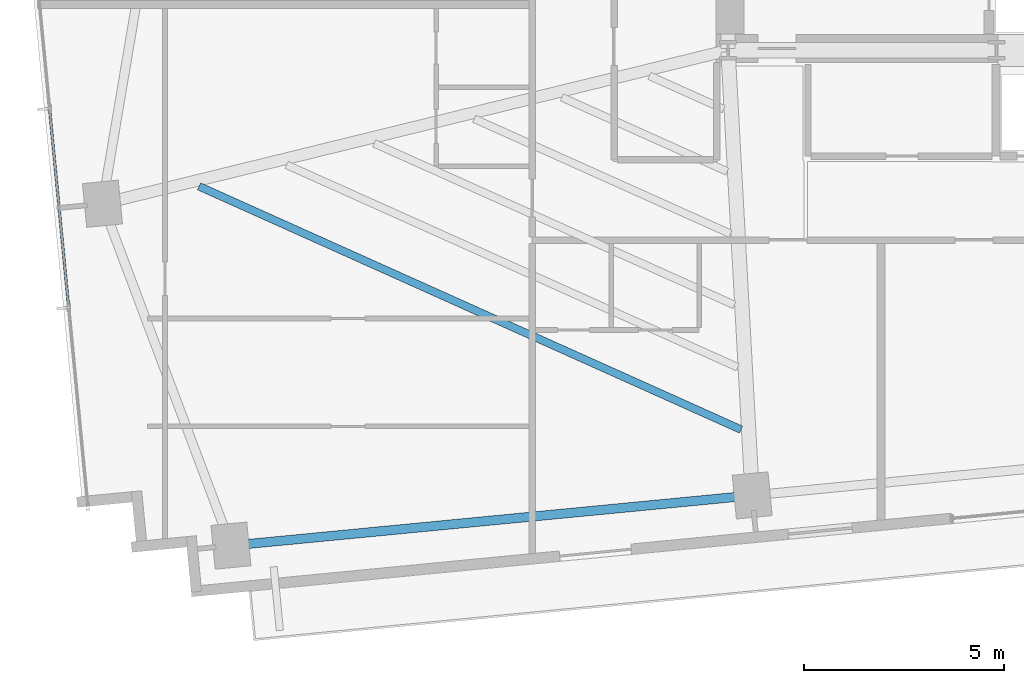
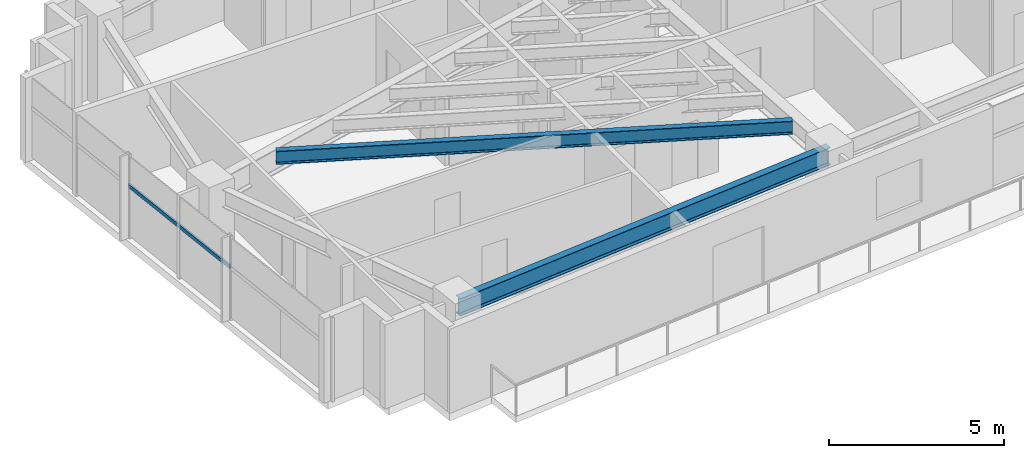
# One storey, part 3 of 27: 2 beams, 1 member, 1 element without a shape of its own.
"""IFC4 building model written with IfcOpenShell, lengths in metres."""

from ifc_helpers import new_model, si_unit, direction, frame, origin, origin_2d, place, context, subcontext, project, spatial, hollow_rectangle, i_section, extrude, source, transform, mapped, material, material_profile, profile_set, type_object, type_shapes, element, aggregate, save


model = new_model("IFC4")

# Units and contexts
model_context = context("Model", 3, precision=1e-05, world=origin(), true_north=direction((0.0, 1.0)))
body_context = subcontext(model_context, "Body", "Model", "MODEL_VIEW")
ifc_project = project(units=[si_unit("LENGTHUNIT", "METRE"), si_unit("AREAUNIT", "SQUARE_METRE"), si_unit("VOLUMEUNIT", "CUBIC_METRE"), si_unit("PLANEANGLEUNIT", "RADIAN"), si_unit("MASSUNIT", "GRAM", prefix="KILO")], contexts=[model_context])

# Site, building, storey
site_placement = place(None, origin())
site = spatial("IfcSite", under=ifc_project, at=site_placement, CompositionType="ELEMENT")
building_placement = place(site_placement, origin())
building = spatial("IfcBuilding", under=site, at=building_placement, Name="Astriad Promenade Condominiums", CompositionType="ELEMENT")
storey_placement = place(building_placement, frame((0.0, 0.0, 109.800048828125)))
storey = spatial("IfcBuildingStorey", under=building, at=storey_placement, Name="L31", CompositionType="ELEMENT", Elevation=109.800048828125)

# Beams
ifc_material_1 = material(Name="Steel ASTM A992 Grade 50", Category="steel")
ifc_material_profile_1 = material_profile(ifc_material_1, i_section(OverallWidth=0.22900390625, OverallDepth=0.612060546875, WebThickness=0.011962890625, FlangeThickness=0.01953125, FilletRadius=0.017822265625, at=origin_2d()), Name="W24X84")
ifc_profile_set_1 = profile_set([ifc_material_profile_1], Name="Steel ASTM A992 Grade 50")
beam_type_1 = type_object("IfcBeamType", Name="STEEL SPANDREL BEAM W24X84", PredefinedType="SPANDREL", material=ifc_profile_set_1)
shared_shape_1 = source(origin(), body_context, "Body", "SweptSolid", [
    extrude(i_section(OverallWidth=0.22900390625, OverallDepth=0.612060546875, WebThickness=0.011962890625, FlangeThickness=0.01953125, FilletRadius=0.017822265625, at=origin_2d()), origin(), (0.0, 0.0, 1.0), 13.02001953125),
])
type_shapes(beam_type_1, [shared_shape_1])
beam_1_placement = place(storey_placement, frame((14.005859375, 5.01318359375, 2.6337890625), z_axis=(0.995395138946, 0.095856754395, 0.0), x_axis=(-0.095856754395, 0.995395138946, 0.0)))
element("IfcBeam", 1, at=beam_1_placement, inside=storey, type_object=beam_type_1, Name="Perimeter Spandrel Beam SP-S1-L31", PredefinedType="SPANDREL", context=body_context, shape_type="MappedRepresentation", body=[
    mapped(shared_shape_1, transform((0.0, 0.0, 0.0), scale=1.0)),
])
ifc_material_profile_2 = material_profile(ifc_material_1, i_section(OverallWidth=0.19287109375, OverallDepth=0.466064453125, WebThickness=0.011474609375, FlangeThickness=0.01904296875, FilletRadius=0.01513671875, at=origin_2d()), Name="W18X65")
ifc_profile_set_2 = profile_set([ifc_material_profile_2], Name="Steel ASTM A992 Grade 50")
beam_type_2 = type_object("IfcBeamType", Name="STEEL FLOOR JOIST W18X65", PredefinedType="JOIST", material=ifc_profile_set_2)
shared_shape_2 = source(origin(), body_context, "Body", "SweptSolid", [
    extrude(i_section(OverallWidth=0.19287109375, OverallDepth=0.466064453125, WebThickness=0.011474609375, FlangeThickness=0.01904296875, FilletRadius=0.01513671875, at=origin_2d()), origin(), (0.0, 0.0, 1.0), 14.863037109375),
])
type_shapes(beam_type_2, [shared_shape_2])
beam_2_placement = place(storey_placement, frame((13.168212890625, 13.996826171875, 2.706787109375), z_axis=(0.912311114602, -0.409497777984, 0.0), x_axis=(0.409497777984, 0.912311114602, 0.0)))
element("IfcBeam", 2, at=beam_2_placement, inside=storey, type_object=beam_type_2, Name="Secondary Composite Floor Joist JW1-1-L31", PredefinedType="JOIST", context=body_context, shape_type="MappedRepresentation", body=[
    mapped(shared_shape_2, transform((0.0, 0.0, 0.0), scale=1.0)),
])

# Curtain wall, member
ifc_material_2 = material(Name="Anodised aluminium Black Dark Glass Unitised", Category="aluminium")
curtain_wall_type = type_object("IfcCurtainWallType", Name="CW-B2-DARK", PredefinedType="USERDEFINED", material=ifc_material_2)
curtain_wall_placement = place(storey_placement, origin())
curtain_wall = element("IfcCurtainWall", 3, at=curtain_wall_placement, inside=storey, type_object=curtain_wall_type, Name="CW-L31-W", ObjectType="UNITISED_CURTAIN_WALL", PredefinedType="USERDEFINED")
ifc_material_3 = material(Name="Anodised aluminium 6063-T6 Black", Category="aluminium")
ifc_material_profile_3 = material_profile(ifc_material_3, hollow_rectangle(XDim=0.06494140625, YDim=0.1298828125, WallThickness=0.00390625, at=origin_2d()), Name="ALU-TRN-65X130")
ifc_profile_set_3 = profile_set([ifc_material_profile_3], Name="Anodised aluminium 6063-T6 Black")
member_type = type_object("IfcMemberType", Name="TRN-ALU-TRN-65X130", PredefinedType="USERDEFINED", material=ifc_profile_set_3)
shared_shape_3 = source(origin(), body_context, "Body", "SweptSolid", [
    extrude(hollow_rectangle(XDim=0.06494140625, YDim=0.1298828125, WallThickness=0.00390625, at=origin_2d()), origin(), (0.0, 0.0, 1.0), 5.0),
])
type_shapes(member_type, [shared_shape_3])
member_placement = place(storey_placement, frame((9.90625, 10.9677734375, 1.82275390625), z_axis=(-0.095848242264, 0.995395958629, 0.0), x_axis=(-0.995395958629, -0.095848242264, 0.0)))
member = element("IfcMember", 4, at=member_placement, type_object=member_type, Name="CW-L31-W-TRN-01-0", ObjectType="TRANSOM", PredefinedType="USERDEFINED", context=body_context, shape_type="MappedRepresentation", body=[
    mapped(shared_shape_3, transform((0.0, 0.0, 0.0), scale=1.0)),
])
aggregate(curtain_wall, [member])

save(model, "model.ifc")
